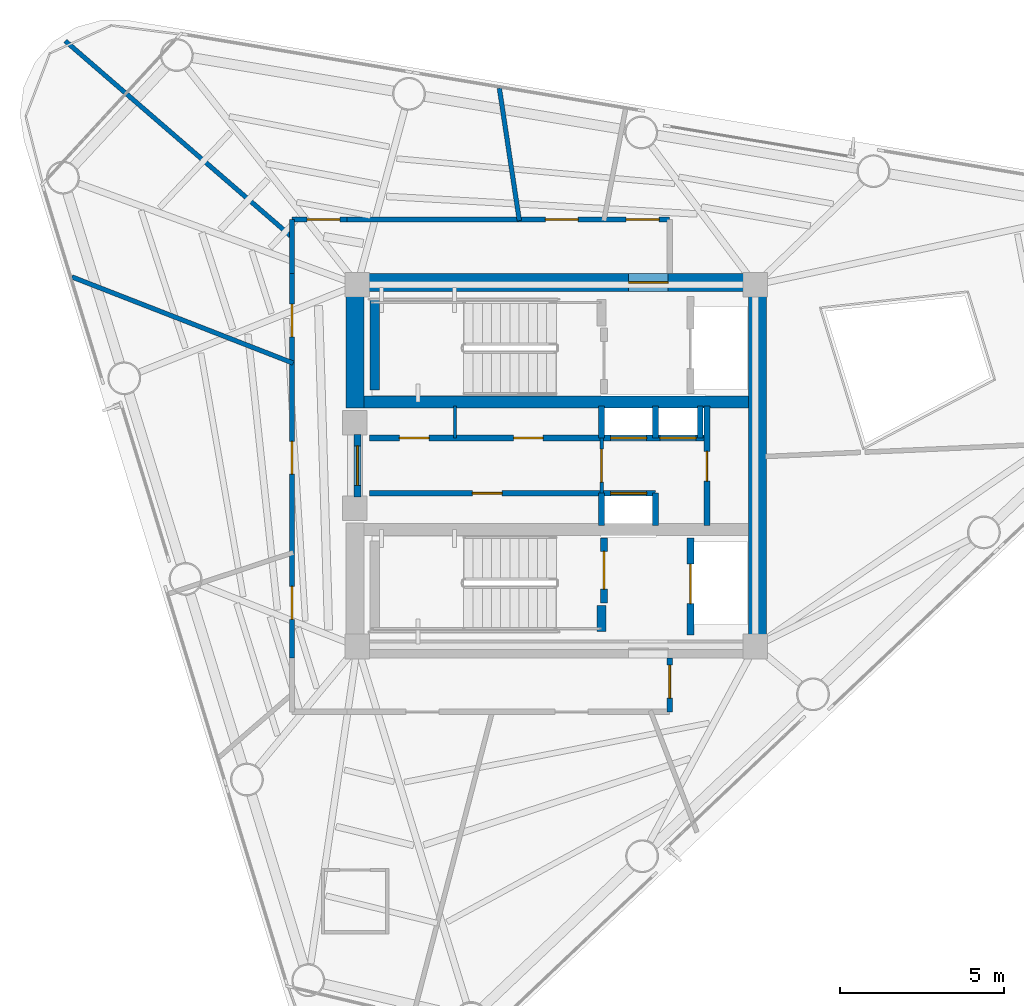
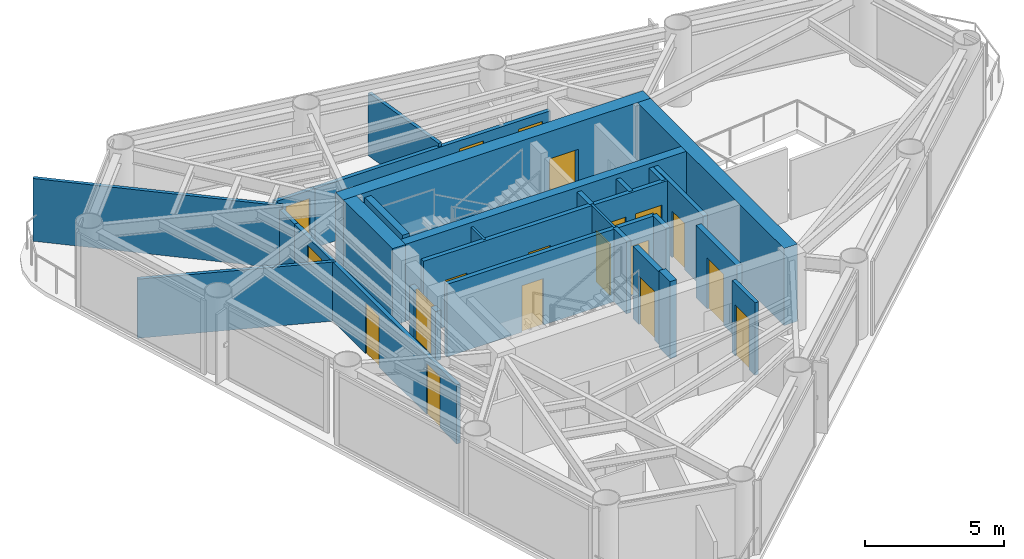
# One storey, part 5 of 8: 27 walls, 19 doors, 19 openings.
"""IFC4 building model written with IfcOpenShell, lengths in metres."""

from ifc_helpers import new_model, si_unit, direction, frame, frame_2d, origin, place, context, subcontext, project, spatial, rectangle, extrude, material, layer, layer_set, type_object, element, fill, save


model = new_model("IFC4")

# Units and contexts
model_context = context("Model", 3, precision=1e-05, world=origin(), true_north=direction((0.0, 1.0)))
body_context = subcontext(model_context, "Body", "Model", "MODEL_VIEW")
ifc_project = project(units=[si_unit("LENGTHUNIT", "METRE"), si_unit("AREAUNIT", "SQUARE_METRE"), si_unit("VOLUMEUNIT", "CUBIC_METRE"), si_unit("PLANEANGLEUNIT", "RADIAN"), si_unit("MASSUNIT", "GRAM", prefix="KILO")], contexts=[model_context])

# Site, building, storey
site_placement = place(None, origin())
site = spatial("IfcSite", under=ifc_project, at=site_placement, CompositionType="ELEMENT")
building_placement = place(site_placement, origin())
building = spatial("IfcBuilding", under=site, at=building_placement, Name="Yunling Apex Tower", CompositionType="ELEMENT")
storey_placement = place(building_placement, frame((0.0, 0.0, 242.25)))
storey = spatial("IfcBuildingStorey", under=building, at=storey_placement, Name="L59", CompositionType="ELEMENT", Elevation=242.25)

# Wall, opening, door
ifc_material_1 = material(Name="Concrete C40", Category="concrete")
ifc_layer_1 = layer(ifc_material_1, 0.550048828125)
ifc_layer_set_1 = layer_set([ifc_layer_1], Name="Concrete C40")
wall_type_1 = type_object("IfcWallType", Name="WL-COR-3", PredefinedType="SHEAR", material=ifc_layer_set_1)
wall_1_placement = place(storey_placement, frame((-6.39990234375, 5.574951171875, 0.0), z_axis=(0.0, 0.0, 1.0), x_axis=(1.0, 0.0, 0.0)))
wall_1 = element("IfcWall", 1, at=wall_1_placement, inside=storey, type_object=wall_type_1, Name="L59 North Core Shear Wall", PredefinedType="SHEAR", context=body_context, shape_type="SweptSolid", body=[
    extrude(rectangle(XDim=12.7998046875, YDim=0.550048828125, at=frame_2d((6.39990234375, 0.0))), origin(), (0.0, 0.0, 1.0), 3.39990234375),
])
opening_1_placement = place(wall_1_placement, frame((8.60009765625, 0.0, 0.0)))
opening_1 = element("IfcOpeningElement", 2, at=opening_1_placement, cuts=wall_1, Name="Opening DR-FFL-1", PredefinedType="OPENING", context=body_context, shape_type="SweptSolid", body=[
    extrude(rectangle(XDim=1.199951171875, YDim=2.199951171875, at=frame_2d((0.60009765625, 1.10009765625))), frame((0.0, 0.28515625, 0.0), z_axis=(0.0, -1.0, 0.0), x_axis=(1.0, 0.0, 0.0)), (0.0, 0.0, 1.0), 0.570068359375),
])
ifc_material_2 = material(Name="Steel Q355B", Category="steel")
door_type_1 = type_object("IfcDoorType", Name="DR-FFL-1", OperationType="NOTDEFINED", PredefinedType="DOOR", material=ifc_material_2)
door_1_placement = place(opening_1_placement, origin())
door_1 = element("IfcDoor", 3, at=door_1_placement, inside=storey, type_object=door_type_1, Name="L59 North Firefighting Lobby Door", OperationType="SINGLE_SWING_LEFT", OverallHeight=2.199951171875, OverallWidth=1.199951171875, PredefinedType="DOOR", context=body_context, shape_type="SweptSolid", body=[
    extrude(rectangle(XDim=1.199951171875, YDim=2.199951171875, at=frame_2d((0.60009765625, 1.10009765625))), frame((0.0, 0.02490234375, 0.0), z_axis=(0.0, -1.0, 0.0), x_axis=(1.0, 0.0, 0.0)), (0.0, 0.0, 1.0), 0.050048828125),
])
fill(opening_1, door_1)

# Walls
wall_2_placement = place(storey_placement, frame((6.125, -5.300048828125, 0.0), z_axis=(0.0, 0.0, 1.0), x_axis=(0.0, 1.0, 0.0)))
element("IfcWall", 4, at=wall_2_placement, inside=storey, type_object=wall_type_1, Name="L59 East Core Shear Wall", PredefinedType="SHEAR", context=body_context, shape_type="SweptSolid", body=[
    extrude(rectangle(XDim=10.60009765625, YDim=0.550048828125, at=frame_2d((5.300048828125, 0.0))), origin(), (0.0, 0.0, 1.0), 3.39990234375),
])
wall_3_placement = place(storey_placement, frame((-6.125, 1.75, 0.0), z_axis=(0.0, 0.0, 1.0), x_axis=(0.0, 1.0, 0.0)))
element("IfcWall", 5, at=wall_3_placement, inside=storey, type_object=wall_type_1, Name="L59 West-North Core Shear Wall", PredefinedType="SHEAR", context=body_context, shape_type="SweptSolid", body=[
    extrude(rectangle(XDim=3.550048828125, YDim=0.550048828125, at=frame_2d((1.77490234375, 0.0))), origin(), (0.0, 0.0, 1.0), 3.39990234375),
])
ifc_layer_2 = layer(ifc_material_1, 0.360107421875)
ifc_layer_set_2 = layer_set([ifc_layer_2], Name="Concrete C40")
wall_type_2 = type_object("IfcWallType", Name="WL-COR-4", PredefinedType="SHEAR", material=ifc_layer_set_2)
wall_4_placement = place(storey_placement, frame((-5.85009765625, 1.93994140625, 0.0), z_axis=(0.0, 0.0, 1.0), x_axis=(1.0, 0.0, 0.0)))
element("IfcWall", 6, at=wall_4_placement, inside=storey, type_object=wall_type_2, Name="L59 North Internal Core Shear Wall", PredefinedType="SHEAR", context=body_context, shape_type="SweptSolid", body=[
    extrude(rectangle(XDim=11.7001953125, YDim=0.360107421875, at=frame_2d((5.85009765625, 0.0))), origin(), (0.0, 0.0, 1.0), 3.39990234375),
])
ifc_layer_3 = layer(ifc_material_1, 0.280029296875)
ifc_layer_set_3 = layer_set([ifc_layer_3], Name="Concrete C40")
wall_type_3 = type_object("IfcWallType", Name="WL-COR-8", PredefinedType="SHEAR", material=ifc_layer_set_3)
wall_5_placement = place(storey_placement, frame((-5.52001953125, 2.300048828125, 0.0), z_axis=(0.0, 0.0, 1.0), x_axis=(0.0, 1.0, 0.0)))
element("IfcWall", 7, at=wall_5_placement, inside=storey, type_object=wall_type_3, Name="L59 ST-1 West Landing Bearing Wall", PredefinedType="SHEAR", context=body_context, shape_type="SweptSolid", body=[
    extrude(rectangle(XDim=2.75, YDim=0.280029296875, at=frame_2d((1.375, 0.0))), origin(), (0.0, 0.0, 1.0), 3.39990234375),
])
wall_6_placement = place(storey_placement, frame((1.3798828125, -5.050048828125, 0.0), z_axis=(0.0, 0.0, 1.0), x_axis=(0.0, 1.0, 0.0)))
element("IfcWall", 8, at=wall_6_placement, inside=storey, type_object=wall_type_3, Name="L59 ST-2 East Landing Bearing Pier", PredefinedType="SHEAR", context=body_context, shape_type="SweptSolid", body=[
    extrude(rectangle(XDim=0.800048828125, YDim=0.280029296875, at=frame_2d((0.39990234375, 0.0))), origin(), (0.0, 0.0, 1.0), 3.39990234375),
])
ifc_material_3 = material(Name="Gypsum board acoustic partition")
ifc_layer_4 = layer(ifc_material_3, 0.159912109375)
ifc_layer_set_4 = layer_set([ifc_layer_4], Name="Gypsum board acoustic partition")
wall_type_4 = type_object("IfcWallType", Name="WL-PRT-1", PredefinedType="PARTITIONING", material=ifc_layer_set_4)
wall_7_placement = place(storey_placement, frame((-8.0400390625, 5.85009765625, 0.0), z_axis=(0.0, 0.0, 1.0), x_axis=(0.0, 1.0, 0.0)))
element("IfcWall", 9, at=wall_7_placement, inside=storey, type_object=wall_type_4, Name="WL-CORR-L59-01", PredefinedType="PARTITIONING", context=body_context, shape_type="SweptSolid", body=[
    extrude(rectangle(XDim=1.639892578125, YDim=0.159912109375, at=frame_2d((0.81982421875, 0.0))), origin(), (0.0, 0.0, 1.0), 2.60498046875),
])

# Wall, opening, door
wall_8_placement = place(storey_placement, frame((-8.0400390625, 7.489990234375, 0.0), z_axis=(0.0, 0.0, 1.0), x_axis=(1.0, 0.0, 0.0)))
wall_8 = element("IfcWall", 10, at=wall_8_placement, inside=storey, type_object=wall_type_4, Name="WL-CORR-L59-02", PredefinedType="PARTITIONING", context=body_context, shape_type="SweptSolid", body=[
    extrude(rectangle(XDim=1.679931640625, YDim=0.159912109375, at=frame_2d((0.83984375, 0.0))), origin(), (0.0, 0.0, 1.0), 2.60498046875),
])
opening_2_placement = place(wall_8_placement, frame((0.4599609375, 0.0, 0.0)))
opening_2 = element("IfcOpeningElement", 11, at=opening_2_placement, cuts=wall_8, Name="Opening DR-OFF-1", PredefinedType="OPENING", context=body_context, shape_type="SweptSolid", body=[
    extrude(rectangle(XDim=1.0, YDim=2.25, at=frame_2d((0.5, 1.125))), frame((0.0, 0.08984375, 0.0), z_axis=(0.0, -1.0, 0.0), x_axis=(1.0, 0.0, 0.0)), (0.0, 0.0, 1.0), 0.179931640625),
])
ifc_material_4 = material(Name="Bronze anodised aluminium", Category="aluminium")
door_type_2 = type_object("IfcDoorType", Name="DR-OFF-1", OperationType="NOTDEFINED", PredefinedType="DOOR", material=ifc_material_4)
door_2_placement = place(opening_2_placement, origin())
door_2 = element("IfcDoor", 12, at=door_2_placement, inside=storey, type_object=door_type_2, Name="L59 Private Dining Kitchen Door", OperationType="SINGLE_SWING_RIGHT", OverallHeight=2.25, OverallWidth=1.0, PredefinedType="DOOR", context=body_context, shape_type="SweptSolid", body=[
    extrude(rectangle(XDim=1.0, YDim=2.25, at=frame_2d((0.5, 1.125))), frame((0.0, 0.02490234375, 0.0), z_axis=(0.0, -1.0, 0.0), x_axis=(1.0, 0.0, 0.0)), (0.0, 0.0, 1.0), 0.050048828125),
])
fill(opening_2, door_2)

# Wall, openings, doors
wall_9_placement = place(storey_placement, frame((-6.360107421875, 7.489990234375, 0.0), z_axis=(0.0, 0.0, 1.0), x_axis=(1.0, 0.0, 0.0)))
wall_9 = element("IfcWall", 13, at=wall_9_placement, inside=storey, type_object=wall_type_4, Name="WL-CORR-L59-03", PredefinedType="PARTITIONING", context=body_context, shape_type="SweptSolid", body=[
    extrude(rectangle(XDim=9.81005859375, YDim=0.159912109375, at=frame_2d((4.905029296875, 0.0))), origin(), (0.0, 0.0, 1.0), 2.60498046875),
])
opening_3_placement = place(wall_9_placement, frame((6.025146484375, 0.0, 0.0)))
opening_3 = element("IfcOpeningElement", 14, at=opening_3_placement, cuts=wall_9, Name="Opening DR-OFF-1", PredefinedType="OPENING", context=body_context, shape_type="SweptSolid", body=[
    extrude(rectangle(XDim=1.0, YDim=2.25, at=frame_2d((0.5, 1.125))), frame((0.0, 0.08984375, 0.0), z_axis=(0.0, -1.0, 0.0), x_axis=(1.0, 0.0, 0.0)), (0.0, 0.0, 1.0), 0.179931640625),
])
opening_4_placement = place(wall_9_placement, frame((8.4873046875, 0.0, 0.0)))
opening_4 = element("IfcOpeningElement", 15, at=opening_4_placement, cuts=wall_9, Name="Opening DR-OFF-1", PredefinedType="OPENING", context=body_context, shape_type="SweptSolid", body=[
    extrude(rectangle(XDim=1.0, YDim=2.25, at=frame_2d((0.5, 1.125))), frame((0.0, 0.08984375, 0.0), z_axis=(0.0, -1.0, 0.0), x_axis=(1.0, 0.0, 0.0)), (0.0, 0.0, 1.0), 0.179931640625),
])
door_3_placement = place(opening_3_placement, origin())
door_3 = element("IfcDoor", 16, at=door_3_placement, inside=storey, type_object=door_type_2, Name="L59 Parcel Archive Store Door", OperationType="SINGLE_SWING_LEFT", OverallHeight=2.25, OverallWidth=1.0, PredefinedType="DOOR", context=body_context, shape_type="SweptSolid", body=[
    extrude(rectangle(XDim=1.0, YDim=2.25, at=frame_2d((0.5, 1.125))), frame((0.0, 0.02490234375, 0.0), z_axis=(0.0, -1.0, 0.0), x_axis=(1.0, 0.0, 0.0)), (0.0, 0.0, 1.0), 0.050048828125),
])
fill(opening_3, door_3)
door_4_placement = place(opening_4_placement, origin())
door_4 = element("IfcDoor", 17, at=door_4_placement, inside=storey, type_object=door_type_2, Name="L59 Private Dining Kitchen Door", OperationType="SINGLE_SWING_RIGHT", OverallHeight=2.25, OverallWidth=1.0, PredefinedType="DOOR", context=body_context, shape_type="SweptSolid", body=[
    extrude(rectangle(XDim=1.0, YDim=2.25, at=frame_2d((0.5, 1.125))), frame((0.0, 0.02490234375, 0.0), z_axis=(0.0, -1.0, 0.0), x_axis=(1.0, 0.0, 0.0)), (0.0, 0.0, 1.0), 0.050048828125),
])
fill(opening_4, door_4)

# Wall, opening, door
wall_10_placement = place(storey_placement, frame((3.449951171875, -5.85009765625, 0.0), z_axis=(0.0, 0.0, 1.0), x_axis=(0.0, -1.0, 0.0)))
wall_10 = element("IfcWall", 18, at=wall_10_placement, inside=storey, type_object=wall_type_4, Name="WL-CORR-L59-05", PredefinedType="PARTITIONING", context=body_context, shape_type="SweptSolid", body=[
    extrude(rectangle(XDim=1.639892578125, YDim=0.159912109375, at=frame_2d((0.81982421875, 0.0))), origin(), (0.0, 0.0, 1.0), 3.199951171875),
])
opening_5_placement = place(wall_10_placement, frame((0.219970703125, 0.0, 0.0)))
opening_5 = element("IfcOpeningElement", 19, at=opening_5_placement, cuts=wall_10, Name="Opening DR-OFF-1", PredefinedType="OPENING", context=body_context, shape_type="SweptSolid", body=[
    extrude(rectangle(XDim=1.0, YDim=2.25, at=frame_2d((0.5, 1.125))), frame((0.0, 0.08984375, 0.0), z_axis=(0.0, -1.0, 0.0), x_axis=(1.0, 0.0, 0.0)), (0.0, 0.0, 1.0), 0.179931640625),
])
door_5_placement = place(opening_5_placement, origin())
door_5 = element("IfcDoor", 20, at=door_5_placement, inside=storey, type_object=door_type_2, Name="L59 Parcel Archive Store Door", OperationType="SINGLE_SWING_LEFT", OverallHeight=2.25, OverallWidth=1.0, PredefinedType="DOOR", context=body_context, shape_type="SweptSolid", body=[
    extrude(rectangle(XDim=1.0, YDim=2.25, at=frame_2d((0.5, 1.125))), frame((0.0, 0.02490234375, 0.0), z_axis=(0.0, -1.0, 0.0), x_axis=(1.0, 0.0, 0.0)), (0.0, 0.0, 1.0), 0.050048828125),
])
fill(opening_5, door_5)

# Wall, openings, doors
wall_11_placement = place(storey_placement, frame((-8.0400390625, -5.85009765625, 0.0), z_axis=(0.0, 0.0, 1.0), x_axis=(0.0, 1.0, 0.0)))
wall_11 = element("IfcWall", 21, at=wall_11_placement, inside=storey, type_object=wall_type_4, Name="WL-CORR-L59-09", PredefinedType="PARTITIONING", context=body_context, shape_type="SweptSolid", body=[
    extrude(rectangle(XDim=11.7001953125, YDim=0.159912109375, at=frame_2d((5.85009765625, 0.0))), origin(), (0.0, 0.0, 1.0), 2.60498046875),
])
opening_6_placement = place(wall_11_placement, frame((1.17529296875, 0.0, 0.0)))
opening_6 = element("IfcOpeningElement", 22, at=opening_6_placement, cuts=wall_11, Name="Opening DR-OFF-1", PredefinedType="OPENING", context=body_context, shape_type="SweptSolid", body=[
    extrude(rectangle(XDim=1.0, YDim=2.25, at=frame_2d((0.5, 1.125))), frame((0.0, 0.08984375, 0.0), z_axis=(0.0, -1.0, 0.0), x_axis=(1.0, 0.0, 0.0)), (0.0, 0.0, 1.0), 0.179931640625),
])
opening_7_placement = place(wall_11_placement, frame((5.58984375, 0.0, 0.0)))
opening_7 = element("IfcOpeningElement", 23, at=opening_7_placement, cuts=wall_11, Name="Opening DR-OFF-1", PredefinedType="OPENING", context=body_context, shape_type="SweptSolid", body=[
    extrude(rectangle(XDim=1.0, YDim=2.25, at=frame_2d((0.5, 1.125))), frame((0.0, 0.08984375, 0.0), z_axis=(0.0, -1.0, 0.0), x_axis=(1.0, 0.0, 0.0)), (0.0, 0.0, 1.0), 0.179931640625),
])
opening_8_placement = place(wall_11_placement, frame((9.765625, 0.0, 0.0)))
opening_8 = element("IfcOpeningElement", 24, at=opening_8_placement, cuts=wall_11, Name="Opening DR-OFF-1", PredefinedType="OPENING", context=body_context, shape_type="SweptSolid", body=[
    extrude(rectangle(XDim=1.0, YDim=2.25, at=frame_2d((0.5, 1.125))), frame((0.0, 0.08984375, 0.0), z_axis=(0.0, -1.0, 0.0), x_axis=(1.0, 0.0, 0.0)), (0.0, 0.0, 1.0), 0.179931640625),
])
door_6_placement = place(opening_6_placement, origin())
door_6 = element("IfcDoor", 25, at=door_6_placement, inside=storey, type_object=door_type_2, Name="L59 Private Dining Kitchen Door", OperationType="SINGLE_SWING_RIGHT", OverallHeight=2.25, OverallWidth=1.0, PredefinedType="DOOR", context=body_context, shape_type="SweptSolid", body=[
    extrude(rectangle(XDim=1.0, YDim=2.25, at=frame_2d((0.5, 1.125))), frame((0.0, 0.02490234375, 0.0), z_axis=(0.0, -1.0, 0.0), x_axis=(1.0, 0.0, 0.0)), (0.0, 0.0, 1.0), 0.050048828125),
])
fill(opening_6, door_6)
door_7_placement = place(opening_7_placement, origin())
door_7 = element("IfcDoor", 26, at=door_7_placement, inside=storey, type_object=door_type_2, Name="L59 Private Dining Kitchen Door", OperationType="SINGLE_SWING_LEFT", OverallHeight=2.25, OverallWidth=1.0, PredefinedType="DOOR", context=body_context, shape_type="SweptSolid", body=[
    extrude(rectangle(XDim=1.0, YDim=2.25, at=frame_2d((0.5, 1.125))), frame((0.0, 0.02490234375, 0.0), z_axis=(0.0, -1.0, 0.0), x_axis=(1.0, 0.0, 0.0)), (0.0, 0.0, 1.0), 0.050048828125),
])
fill(opening_7, door_7)
door_8_placement = place(opening_8_placement, origin())
door_8 = element("IfcDoor", 27, at=door_8_placement, inside=storey, type_object=door_type_2, Name="L59 Parcel Archive Store Door", OperationType="SINGLE_SWING_RIGHT", OverallHeight=2.25, OverallWidth=1.0, PredefinedType="DOOR", context=body_context, shape_type="SweptSolid", body=[
    extrude(rectangle(XDim=1.0, YDim=2.25, at=frame_2d((0.5, 1.125))), frame((0.0, 0.02490234375, 0.0), z_axis=(0.0, -1.0, 0.0), x_axis=(1.0, 0.0, 0.0)), (0.0, 0.0, 1.0), 0.050048828125),
])
fill(opening_8, door_8)

# Walls
ifc_layer_5 = layer(ifc_material_3, 0.139892578125)
ifc_layer_set_5 = layer_set([ifc_layer_5], Name="Gypsum board acoustic partition")
wall_type_5 = type_object("IfcWallType", Name="WL-PRT-2", PredefinedType="PARTITIONING", material=ifc_layer_set_5)
wall_12_placement = place(storey_placement, frame((-1.122802734375, 7.449951171875, 0.0), z_axis=(0.0, 0.0, 1.0), x_axis=(-0.149063767164, 0.988827585234, 0.0)))
element("IfcWall", 28, at=wall_12_placement, inside=storey, type_object=wall_type_5, Name="WL-RAD-L59-04", PredefinedType="PARTITIONING", context=body_context, shape_type="SweptSolid", body=[
    extrude(rectangle(XDim=4.07666015625, YDim=0.139892578125, at=frame_2d((2.038330078125, 0.0))), origin(), (0.0, 0.0, 1.0), 2.764892578125),
])
wall_13_placement = place(storey_placement, frame((-8.0, 6.91943359375, 0.0), z_axis=(0.0, 0.0, 1.0), x_axis=(-0.756353912554, 0.654162639535, 0.0)))
element("IfcWall", 29, at=wall_13_placement, inside=storey, type_object=wall_type_5, Name="WL-RAD-L59-05", PredefinedType="PARTITIONING", context=body_context, shape_type="SweptSolid", body=[
    extrude(rectangle(XDim=9.166748046875, YDim=0.139892578125, at=frame_2d((4.58349609375, 0.0))), origin(), (0.0, 0.0, 1.0), 2.764892578125),
])
wall_14_placement = place(storey_placement, frame((-8.0, 3.11669921875, 0.0), z_axis=(0.0, 0.0, 1.0), x_axis=(-0.931773681271, 0.363039676744, 0.0)))
element("IfcWall", 30, at=wall_14_placement, inside=storey, type_object=wall_type_5, Name="WL-RAD-L59-06", PredefinedType="PARTITIONING", context=body_context, shape_type="SweptSolid", body=[
    extrude(rectangle(XDim=7.225830078125, YDim=0.139892578125, at=frame_2d((3.61279296875, 0.0))), origin(), (0.0, 0.0, 1.0), 2.60498046875),
])

# Wall, opening, door
ifc_layer_6 = layer(ifc_material_3, 0.10009765625)
ifc_layer_set_6 = layer_set([ifc_layer_6], Name="Gypsum board acoustic partition")
wall_type_6 = type_object("IfcWallType", Name="WL-PRT-4", PredefinedType="PARTITIONING", material=ifc_layer_set_6)
wall_15_placement = place(storey_placement, frame((1.3798828125, -0.840087890625, 0.0), z_axis=(0.0, 0.0, 1.0), x_axis=(0.0, 1.0, 0.0)))
wall_15 = element("IfcWall", 31, at=wall_15_placement, inside=storey, type_object=wall_type_6, Name="WL-LOB-MID-L59", PredefinedType="PARTITIONING", context=body_context, shape_type="SweptSolid", body=[
    extrude(rectangle(XDim=1.68017578125, YDim=0.10009765625, at=frame_2d((0.840087890625, 0.0))), origin(), (0.0, 0.0, 1.0), 3.199951171875),
])
opening_9_placement = place(wall_15_placement, frame((0.340087890625, 0.0, 0.0)))
opening_9 = element("IfcOpeningElement", 32, at=opening_9_placement, cuts=wall_15, Name="Opening DR-OFF-1", PredefinedType="OPENING", context=body_context, shape_type="SweptSolid", body=[
    extrude(rectangle(XDim=1.0, YDim=2.25, at=frame_2d((0.5, 1.125))), frame((0.0, 0.06005859375, 0.0), z_axis=(0.0, -1.0, 0.0), x_axis=(1.0, 0.0, 0.0)), (0.0, 0.0, 1.0), 0.1201171875),
])
door_9_placement = place(opening_9_placement, origin())
door_9 = element("IfcDoor", 33, at=door_9_placement, inside=storey, type_object=door_type_2, Name="L59 Core Lobby Link Door", OperationType="SINGLE_SWING_RIGHT", OverallHeight=2.25, OverallWidth=1.0, PredefinedType="DOOR", context=body_context, shape_type="SweptSolid", body=[
    extrude(rectangle(XDim=1.0, YDim=2.25, at=frame_2d((0.5, 1.125))), frame((0.0, 0.02490234375, 0.0), z_axis=(0.0, -1.0, 0.0), x_axis=(1.0, 0.0, 0.0)), (0.0, 0.0, 1.0), 0.050048828125),
])
fill(opening_9, door_9)

# Wall
wall_16_placement = place(storey_placement, frame((-3.080078125, 0.840087890625, 0.0), z_axis=(0.0, 0.0, 1.0), x_axis=(0.0, 1.0, 0.0)))
element("IfcWall", 34, at=wall_16_placement, inside=storey, type_object=wall_type_6, Name="WL-RECLMB-N-L59", PredefinedType="PARTITIONING", context=body_context, shape_type="SweptSolid", body=[
    extrude(rectangle(XDim=0.97998046875, YDim=0.10009765625, at=frame_2d((0.489990234375, 0.0))), origin(), (0.0, 0.0, 1.0), 3.199951171875),
])

# Wall, opening, door
ifc_material_5 = material(Name="Autoclaved aerated concrete masonry", Category="masonry")
ifc_layer_7 = layer(ifc_material_5, 0.219970703125)
ifc_layer_set_7 = layer_set([ifc_layer_7], Name="Autoclaved aerated concrete masonry")
wall_type_7 = type_object("IfcWallType", Name="WL-SHF-1", PredefinedType="PLUMBINGWALL", material=ifc_layer_set_7)
wall_17_placement = place(storey_placement, frame((-6.050048828125, -0.949951171875, 0.0), z_axis=(0.0, 0.0, 1.0), x_axis=(0.0, 1.0, 0.0)))
wall_17 = element("IfcWall", 35, at=wall_17_placement, inside=storey, type_object=wall_type_7, Name="WL-COR-WPORT-L59", PredefinedType="PLUMBINGWALL", context=body_context, shape_type="SweptSolid", body=[
    extrude(rectangle(XDim=1.89990234375, YDim=0.219970703125, at=frame_2d((0.949951171875, 0.0))), origin(), (0.0, 0.0, 1.0), 2.179931640625),
])
opening_10_placement = place(wall_17_placement, frame((0.35009765625, 0.0, 0.0)))
opening_10 = element("IfcOpeningElement", 36, at=opening_10_placement, cuts=wall_17, Name="Opening DR-FFL-1", PredefinedType="OPENING", context=body_context, shape_type="SweptSolid", body=[
    extrude(rectangle(XDim=1.199951171875, YDim=2.199951171875, at=frame_2d((0.60009765625, 1.10009765625))), frame((0.0, 0.1201171875, 0.0), z_axis=(0.0, -1.0, 0.0), x_axis=(1.0, 0.0, 0.0)), (0.0, 0.0, 1.0), 0.239990234375),
])
door_10_placement = place(opening_10_placement, origin())
door_10 = element("IfcDoor", 37, at=door_10_placement, inside=storey, type_object=door_type_1, Name="L59 Passenger Lift Lobby Entrance Door", OperationType="SINGLE_SWING_LEFT", OverallHeight=2.199951171875, OverallWidth=1.199951171875, PredefinedType="DOOR", context=body_context, shape_type="SweptSolid", body=[
    extrude(rectangle(XDim=1.199951171875, YDim=2.199951171875, at=frame_2d((0.60009765625, 1.10009765625))), frame((0.0, 0.02490234375, 0.0), z_axis=(0.0, -1.0, 0.0), x_axis=(1.0, 0.0, 0.0)), (0.0, 0.0, 1.0), 0.050048828125),
])
fill(opening_10, door_10)

wall_18_placement = place(storey_placement, frame((1.449951171875, -4.179931640625, 0.0), z_axis=(0.0, 0.0, 1.0), x_axis=(0.0, 1.0, 0.0)))
wall_18 = element("IfcWall", 38, at=wall_18_placement, inside=storey, type_object=wall_type_7, Name="WL-ST2-E-L59", PredefinedType="PLUMBINGWALL", context=body_context, shape_type="SweptSolid", body=[
    extrude(rectangle(XDim=1.97998046875, YDim=0.219970703125, at=frame_2d((0.989990234375, 0.0))), origin(), (0.0, 0.0, 1.0), 3.199951171875),
])
opening_11_placement = place(wall_18_placement, frame((0.419921875, 0.0, 0.0)))
opening_11 = element("IfcOpeningElement", 39, at=opening_11_placement, cuts=wall_18, Name="Opening DR-ST-1", PredefinedType="OPENING", context=body_context, shape_type="SweptSolid", body=[
    extrude(rectangle(XDim=1.14990234375, YDim=2.14990234375, at=frame_2d((0.574951171875, 1.074951171875))), frame((0.0, 0.1201171875, 0.0), z_axis=(0.0, -1.0, 0.0), x_axis=(1.0, 0.0, 0.0)), (0.0, 0.0, 1.0), 0.239990234375),
])
door_type_3 = type_object("IfcDoorType", Name="DR-ST-1", OperationType="NOTDEFINED", PredefinedType="DOOR", material=ifc_material_2)
door_11_placement = place(opening_11_placement, origin())
door_11 = element("IfcDoor", 40, at=door_11_placement, inside=storey, type_object=door_type_3, Name="L59 Stair ST-2 Fire Door", OperationType="SINGLE_SWING_LEFT", OverallHeight=2.14990234375, OverallWidth=1.14990234375, PredefinedType="DOOR", context=body_context, shape_type="SweptSolid", body=[
    extrude(rectangle(XDim=1.14990234375, YDim=2.14990234375, at=frame_2d((0.574951171875, 1.074951171875))), frame((0.0, 0.02490234375, 0.0), z_axis=(0.0, -1.0, 0.0), x_axis=(1.0, 0.0, 0.0)), (0.0, 0.0, 1.0), 0.050048828125),
])
fill(opening_11, door_11)

wall_19_placement = place(storey_placement, frame((4.080078125, -5.14990234375, 0.0), z_axis=(0.0, 0.0, 1.0), x_axis=(0.0, 1.0, 0.0)))
wall_19 = element("IfcWall", 41, at=wall_19_placement, inside=storey, type_object=wall_type_7, Name="WL-FFL2-W-L59", PredefinedType="PLUMBINGWALL", context=body_context, shape_type="SweptSolid", body=[
    extrude(rectangle(XDim=2.949951171875, YDim=0.219970703125, at=frame_2d((1.47509765625, 0.0))), origin(), (0.0, 0.0, 1.0), 3.199951171875),
])
opening_12_placement = place(wall_19_placement, frame((0.949951171875, 0.0, 0.0)))
opening_12 = element("IfcOpeningElement", 42, at=opening_12_placement, cuts=wall_19, Name="Opening LD-FFL-1", PredefinedType="OPENING", context=body_context, shape_type="SweptSolid", body=[
    extrude(rectangle(XDim=1.199951171875, YDim=2.25, at=frame_2d((0.60009765625, 1.125))), frame((0.0, 0.1201171875, 0.0), z_axis=(0.0, -1.0, 0.0), x_axis=(1.0, 0.0, 0.0)), (0.0, 0.0, 1.0), 0.239990234375),
])
door_type_4 = type_object("IfcDoorType", Name="LD-FFL-1", OperationType="DOUBLE_DOOR_SLIDING", PredefinedType="DOOR", material=ifc_material_2)
door_12_placement = place(opening_12_placement, origin())
door_12 = element("IfcDoor", 43, at=door_12_placement, inside=storey, type_object=door_type_4, Name="L59 Lift FFL-2 Landing Door", OperationType="DOUBLE_DOOR_SLIDING", OverallHeight=2.25, OverallWidth=1.199951171875, PredefinedType="DOOR", context=body_context, shape_type="SweptSolid", body=[
    extrude(rectangle(XDim=1.199951171875, YDim=2.25, at=frame_2d((0.60009765625, 1.125))), frame((0.0, 0.02490234375, 0.0), z_axis=(0.0, -1.0, 0.0), x_axis=(1.0, 0.0, 0.0)), (0.0, 0.0, 1.0), 0.050048828125),
])
fill(opening_12, door_12)

# Walls
ifc_layer_8 = layer(ifc_material_5, 0.179931640625)
ifc_layer_set_8 = layer_set([ifc_layer_8], Name="Autoclaved aerated concrete masonry")
wall_type_8 = type_object("IfcWallType", Name="WL-SHF-2", PredefinedType="PLUMBINGWALL", material=ifc_layer_set_8)
for number, where, z_axis, x_axis, name in (
    (44, (1.3798828125, 0.840087890625, 0.0), (0.0, 0.0, 1.0), (0.0, 1.0, 0.0), "WL-BNK-MH-N-L59"),
    (45, (1.3798828125, -1.820068359375, 0.0), (0.0, 0.0, 1.0), (0.0, 1.0, 0.0), "WL-BNK-MH-S-L59"),
    (46, (3.02001953125, 0.840087890625, 0.0), (0.0, 0.0, 1.0), (0.0, 1.0, 0.0), "WL-DIV-H13-L59"),
    (47, (4.3798828125, 0.840087890625, 0.0), (0.0, 0.0, 1.0), (0.0, 1.0, 0.0), "WL-END-H3E-L59"),
    (48, (3.02001953125, -1.820068359375, 0.0), (0.0, 0.0, 1.0), (0.0, 1.0, 0.0), "WL-END-H2E-L59"),
):
    element("IfcWall", number, at=place(storey_placement, frame(where, z_axis=z_axis, x_axis=x_axis)), inside=storey, type_object=wall_type_8, Name=name, PredefinedType="PLUMBINGWALL", context=body_context, shape_type="SweptSolid", body=[
        extrude(rectangle(XDim=0.97998046875, YDim=0.179931640625, at=frame_2d((0.489990234375, 0.0))), origin(), (0.0, 0.0, 1.0), 3.199951171875),
    ])

# Wall, opening, door
wall_20_placement = place(storey_placement, frame((4.580078125, -1.820068359375, 0.0), z_axis=(0.0, 0.0, 1.0), x_axis=(0.0, 1.0, 0.0)))
wall_20 = element("IfcWall", 49, at=wall_20_placement, inside=storey, type_object=wall_type_8, Name="WL-KBE-W-L59", PredefinedType="PLUMBINGWALL", context=body_context, shape_type="SweptSolid", body=[
    extrude(rectangle(XDim=3.64013671875, YDim=0.179931640625, at=frame_2d((1.820068359375, 0.0))), origin(), (0.0, 0.0, 1.0), 3.199951171875),
])
opening_13_placement = place(wall_20_placement, frame((1.35009765625, 0.0, 0.0)))
opening_13 = element("IfcOpeningElement", 50, at=opening_13_placement, cuts=wall_20, Name="Opening DR-SHF-1", PredefinedType="OPENING", context=body_context, shape_type="SweptSolid", body=[
    extrude(rectangle(XDim=0.89990234375, YDim=2.050048828125, at=frame_2d((0.449951171875, 1.02490234375))), frame((0.0, 0.10009765625, 0.0), z_axis=(0.0, -1.0, 0.0), x_axis=(1.0, 0.0, 0.0)), (0.0, 0.0, 1.0), 0.199951171875),
])
door_type_5 = type_object("IfcDoorType", Name="DR-SHF-1", OperationType="NOTDEFINED", PredefinedType="DOOR", material=ifc_material_2)
door_13_placement = place(opening_13_placement, origin())
door_13 = element("IfcDoor", 51, at=door_13_placement, inside=storey, type_object=door_type_5, Name="L59 Core Meter Room Door", OperationType="SINGLE_SWING_LEFT", OverallHeight=2.050048828125, OverallWidth=0.89990234375, PredefinedType="DOOR", context=body_context, shape_type="SweptSolid", body=[
    extrude(rectangle(XDim=0.89990234375, YDim=2.050048828125, at=frame_2d((0.449951171875, 1.02490234375))), frame((0.0, 0.02490234375, 0.0), z_axis=(0.0, -1.0, 0.0), x_axis=(1.0, 0.0, 0.0)), (0.0, 0.0, 1.0), 0.050048828125),
])
fill(opening_13, door_13)

# Wall, openings, doors
wall_21_placement = place(storey_placement, frame((-5.679931640625, 0.840087890625, 0.0), z_axis=(0.0, 0.0, 1.0), x_axis=(1.0, 0.0, 0.0)))
wall_21 = element("IfcWall", 52, at=wall_21_placement, inside=storey, type_object=wall_type_8, Name="WL-LOB-N-L59", PredefinedType="PLUMBINGWALL", context=body_context, shape_type="SweptSolid", body=[
    extrude(rectangle(XDim=10.260009765625, YDim=0.179931640625, at=frame_2d((5.1298828125, 0.0))), origin(), (0.0, 0.0, 1.0), 3.199951171875),
])
opening_14_placement = place(wall_21_placement, frame((0.909912109375, 0.0, 0.0)))
opening_14 = element("IfcOpeningElement", 53, at=opening_14_placement, cuts=wall_21, Name="Opening DR-SHF-1", PredefinedType="OPENING", context=body_context, shape_type="SweptSolid", body=[
    extrude(rectangle(XDim=0.89990234375, YDim=2.050048828125, at=frame_2d((0.449951171875, 1.02490234375))), frame((0.0, 0.10009765625, 0.0), z_axis=(0.0, -1.0, 0.0), x_axis=(1.0, 0.0, 0.0)), (0.0, 0.0, 1.0), 0.199951171875),
])
opening_15_placement = place(wall_21_placement, frame((4.3798828125, 0.0, 0.0)))
opening_15 = element("IfcOpeningElement", 54, at=opening_15_placement, cuts=wall_21, Name="Opening DR-SHF-1", PredefinedType="OPENING", context=body_context, shape_type="SweptSolid", body=[
    extrude(rectangle(XDim=0.89990234375, YDim=2.050048828125, at=frame_2d((0.449951171875, 1.02490234375))), frame((0.0, 0.10009765625, 0.0), z_axis=(0.0, -1.0, 0.0), x_axis=(1.0, 0.0, 0.0)), (0.0, 0.0, 1.0), 0.199951171875),
])
opening_16_placement = place(wall_21_placement, frame((7.330078125, 0.0, 0.0)))
opening_16 = element("IfcOpeningElement", 55, at=opening_16_placement, cuts=wall_21, Name="Opening LD-PAS-1", PredefinedType="OPENING", context=body_context, shape_type="SweptSolid", body=[
    extrude(rectangle(XDim=1.10009765625, YDim=2.199951171875, at=frame_2d((0.550048828125, 1.10009765625))), frame((0.0, 0.10009765625, 0.0), z_axis=(0.0, -1.0, 0.0), x_axis=(1.0, 0.0, 0.0)), (0.0, 0.0, 1.0), 0.199951171875),
])
opening_17_placement = place(wall_21_placement, frame((8.830078125, 0.0, 0.0)))
opening_17 = element("IfcOpeningElement", 56, at=opening_17_placement, cuts=wall_21, Name="Opening LD-PAS-1", PredefinedType="OPENING", context=body_context, shape_type="SweptSolid", body=[
    extrude(rectangle(XDim=1.10009765625, YDim=2.199951171875, at=frame_2d((0.550048828125, 1.10009765625))), frame((0.0, 0.10009765625, 0.0), z_axis=(0.0, -1.0, 0.0), x_axis=(1.0, 0.0, 0.0)), (0.0, 0.0, 1.0), 0.199951171875),
])
door_14_placement = place(opening_14_placement, origin())
door_14 = element("IfcDoor", 57, at=door_14_placement, inside=storey, type_object=door_type_5, Name="L59 Switchgear Plant Door", OperationType="SINGLE_SWING_RIGHT", OverallHeight=2.050048828125, OverallWidth=0.89990234375, PredefinedType="DOOR", context=body_context, shape_type="SweptSolid", body=[
    extrude(rectangle(XDim=0.89990234375, YDim=2.050048828125, at=frame_2d((0.449951171875, 1.02490234375))), frame((0.0, 0.02490234375, 0.0), z_axis=(0.0, -1.0, 0.0), x_axis=(1.0, 0.0, 0.0)), (0.0, 0.0, 1.0), 0.050048828125),
])
fill(opening_14, door_14)
door_15_placement = place(opening_15_placement, origin())
door_15 = element("IfcDoor", 58, at=door_15_placement, inside=storey, type_object=door_type_5, Name="L59 Valet Storage Door", OperationType="SINGLE_SWING_LEFT", OverallHeight=2.050048828125, OverallWidth=0.89990234375, PredefinedType="DOOR", context=body_context, shape_type="SweptSolid", body=[
    extrude(rectangle(XDim=0.89990234375, YDim=2.050048828125, at=frame_2d((0.449951171875, 1.02490234375))), frame((0.0, 0.02490234375, 0.0), z_axis=(0.0, -1.0, 0.0), x_axis=(1.0, 0.0, 0.0)), (0.0, 0.0, 1.0), 0.050048828125),
])
fill(opening_15, door_15)
ifc_material_6 = material(Name="Silver anodised aluminium", Category="aluminium")
door_type_6 = type_object("IfcDoorType", Name="LD-PAS-1", OperationType="DOUBLE_DOOR_SLIDING", PredefinedType="DOOR", material=ifc_material_6)
door_16_placement = place(opening_16_placement, origin())
door_16 = element("IfcDoor", 59, at=door_16_placement, inside=storey, type_object=door_type_6, Name="L59 Lift PL-H1 Landing Door", OperationType="DOUBLE_DOOR_SLIDING", OverallHeight=2.199951171875, OverallWidth=1.10009765625, PredefinedType="DOOR", context=body_context, shape_type="SweptSolid", body=[
    extrude(rectangle(XDim=1.10009765625, YDim=2.199951171875, at=frame_2d((0.550048828125, 1.10009765625))), frame((0.0, 0.02490234375, 0.0), z_axis=(0.0, -1.0, 0.0), x_axis=(1.0, 0.0, 0.0)), (0.0, 0.0, 1.0), 0.050048828125),
])
fill(opening_16, door_16)
door_17_placement = place(opening_17_placement, origin())
door_17 = element("IfcDoor", 60, at=door_17_placement, inside=storey, type_object=door_type_6, Name="L59 Lift PL-H3 Landing Door", OperationType="DOUBLE_DOOR_SLIDING", OverallHeight=2.199951171875, OverallWidth=1.10009765625, PredefinedType="DOOR", context=body_context, shape_type="SweptSolid", body=[
    extrude(rectangle(XDim=1.10009765625, YDim=2.199951171875, at=frame_2d((0.550048828125, 1.10009765625))), frame((0.0, 0.02490234375, 0.0), z_axis=(0.0, -1.0, 0.0), x_axis=(1.0, 0.0, 0.0)), (0.0, 0.0, 1.0), 0.050048828125),
])
fill(opening_17, door_17)

wall_22_placement = place(storey_placement, frame((-5.679931640625, -0.840087890625, 0.0), z_axis=(0.0, 0.0, 1.0), x_axis=(1.0, 0.0, 0.0)))
wall_22 = element("IfcWall", 61, at=wall_22_placement, inside=storey, type_object=wall_type_8, Name="WL-LOB-S-L59", PredefinedType="PLUMBINGWALL", context=body_context, shape_type="SweptSolid", body=[
    extrude(rectangle(XDim=8.699951171875, YDim=0.179931640625, at=frame_2d((4.35009765625, 0.0))), origin(), (0.0, 0.0, 1.0), 3.199951171875),
])
opening_18_placement = place(wall_22_placement, frame((3.1298828125, 0.0, 0.0)))
opening_18 = element("IfcOpeningElement", 62, at=opening_18_placement, cuts=wall_22, Name="Opening DR-SHF-1", PredefinedType="OPENING", context=body_context, shape_type="SweptSolid", body=[
    extrude(rectangle(XDim=0.89990234375, YDim=2.050048828125, at=frame_2d((0.449951171875, 1.02490234375))), frame((0.0, 0.10009765625, 0.0), z_axis=(0.0, -1.0, 0.0), x_axis=(1.0, 0.0, 0.0)), (0.0, 0.0, 1.0), 0.199951171875),
])
opening_19_placement = place(wall_22_placement, frame((7.330078125, 0.0, 0.0)))
opening_19 = element("IfcOpeningElement", 63, at=opening_19_placement, cuts=wall_22, Name="Opening LD-PAS-1", PredefinedType="OPENING", context=body_context, shape_type="SweptSolid", body=[
    extrude(rectangle(XDim=1.10009765625, YDim=2.199951171875, at=frame_2d((0.550048828125, 1.10009765625))), frame((0.0, 0.10009765625, 0.0), z_axis=(0.0, -1.0, 0.0), x_axis=(1.0, 0.0, 0.0)), (0.0, 0.0, 1.0), 0.199951171875),
])
door_18_placement = place(opening_18_placement, origin())
door_18 = element("IfcDoor", 64, at=door_18_placement, inside=storey, type_object=door_type_5, Name="L59 BMS Plant Door", OperationType="SINGLE_SWING_RIGHT", OverallHeight=2.050048828125, OverallWidth=0.89990234375, PredefinedType="DOOR", context=body_context, shape_type="SweptSolid", body=[
    extrude(rectangle(XDim=0.89990234375, YDim=2.050048828125, at=frame_2d((0.449951171875, 1.02490234375))), frame((0.0, 0.02490234375, 0.0), z_axis=(0.0, -1.0, 0.0), x_axis=(1.0, 0.0, 0.0)), (0.0, 0.0, 1.0), 0.050048828125),
])
fill(opening_18, door_18)
door_19_placement = place(opening_19_placement, origin())
door_19 = element("IfcDoor", 65, at=door_19_placement, inside=storey, type_object=door_type_6, Name="L59 Lift PL-H2 Landing Door", OperationType="DOUBLE_DOOR_SLIDING", OverallHeight=2.199951171875, OverallWidth=1.10009765625, PredefinedType="DOOR", context=body_context, shape_type="SweptSolid", body=[
    extrude(rectangle(XDim=1.10009765625, YDim=2.199951171875, at=frame_2d((0.550048828125, 1.10009765625))), frame((0.0, 0.02490234375, 0.0), z_axis=(0.0, -1.0, 0.0), x_axis=(1.0, 0.0, 0.0)), (0.0, 0.0, 1.0), 0.050048828125),
])
fill(opening_19, door_19)

save(model, "model.ifc")
